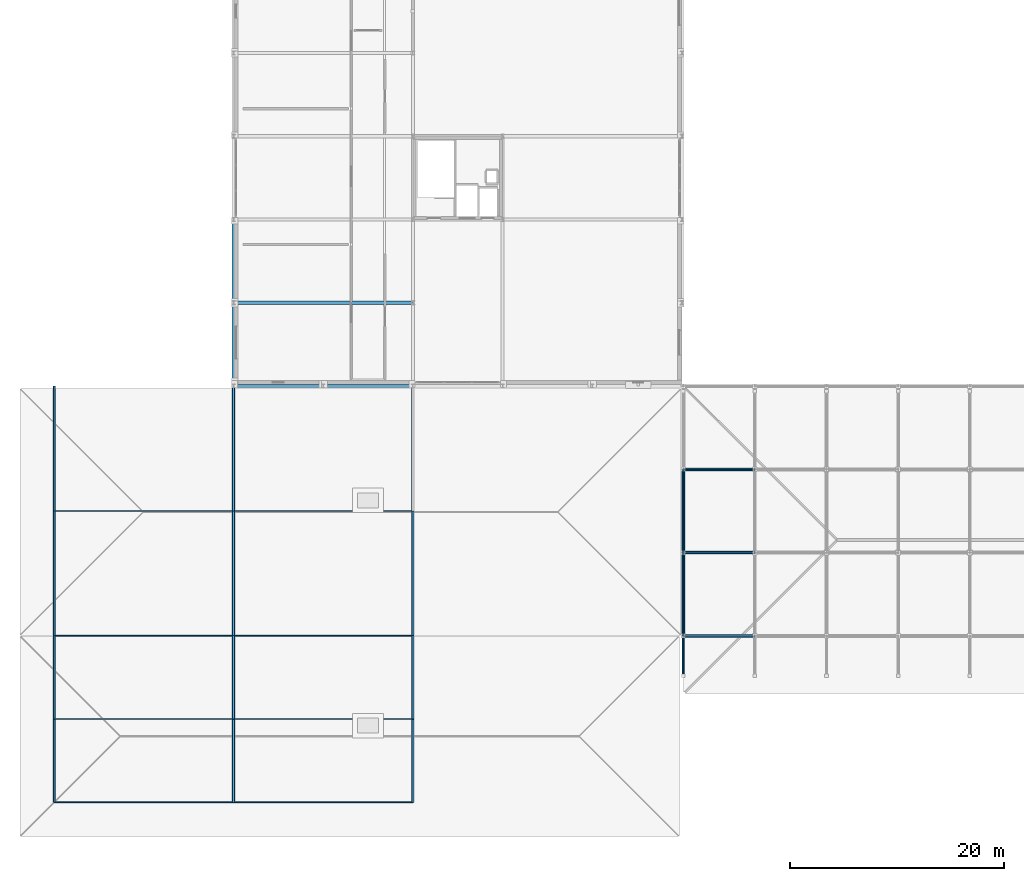
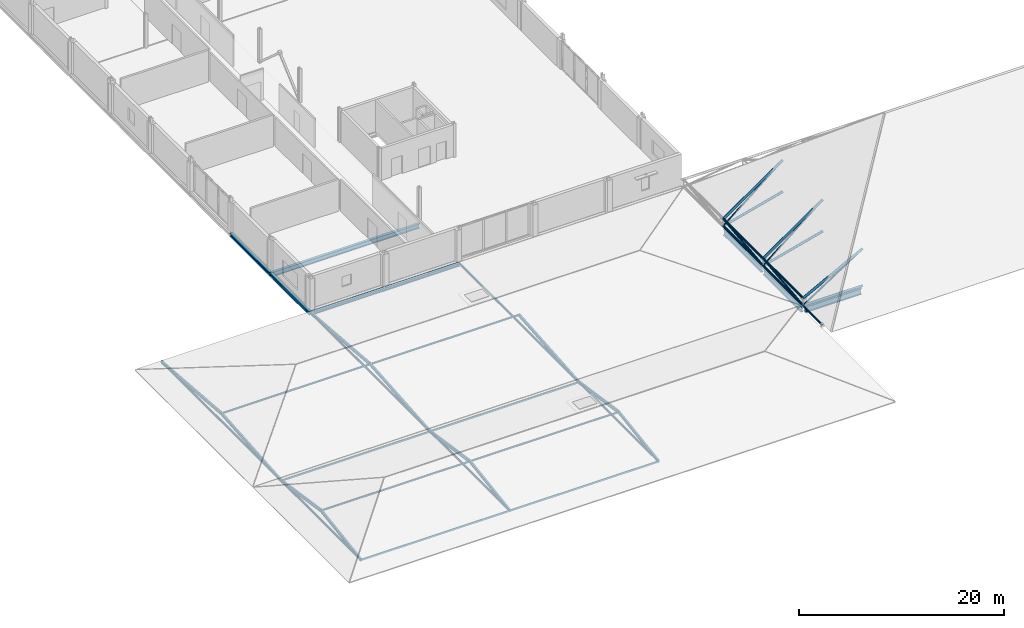
# One storey, part 20 of 77: 37 members, 8 beams.
"""IFC4 building model written with IfcOpenShell, lengths in metres."""

from ifc_helpers import new_model, si_unit, direction, frame, origin, origin_2d, place, context, subcontext, project, spatial, hollow_rectangle, hollow_circle, i_section, extrude, material, material_profile, profile_set, type_object, element, save


model = new_model("IFC4")

# Units and contexts
model_context = context("Model", 3, precision=1e-05, world=origin(), true_north=direction((0.0, 1.0)))
body_context = subcontext(model_context, "Body", "Model", "MODEL_VIEW")
ifc_project = project(units=[si_unit("LENGTHUNIT", "METRE"), si_unit("AREAUNIT", "SQUARE_METRE"), si_unit("VOLUMEUNIT", "CUBIC_METRE"), si_unit("PLANEANGLEUNIT", "RADIAN"), si_unit("MASSUNIT", "GRAM", prefix="KILO")], contexts=[model_context])

# Site, building, storey
site_placement = place(None, origin())
site = spatial("IfcSite", under=ifc_project, at=site_placement, CompositionType="ELEMENT")
building_placement = place(site_placement, origin())
building = spatial("IfcBuilding", under=site, at=building_placement, Name="Nabrawat Pavilion Hospital", CompositionType="ELEMENT")
storey_placement = place(building_placement, frame((0.0, 0.0, 14.85009765625)))
storey = spatial("IfcBuildingStorey", under=building, at=storey_placement, Name="L03", CompositionType="ELEMENT", Elevation=14.85009765625)

# Beams
ifc_material = material(Name="Steel S355", Category="steel")
ifc_material_profile_1 = material_profile(ifc_material, i_section(OverallWidth=0.300048828125, OverallDepth=0.699951171875, WebThickness=0.01708984375, FlangeThickness=0.031982421875, FilletRadius=0.027099609375, at=origin_2d()), Name="HEB 700")
ifc_profile_set_1 = profile_set([ifc_material_profile_1], Name="Steel S355")
beam_type_1 = type_object("IfcBeamType", Name="Main Hall Space-Frame Perimeter Ring Girder HEB 700", PredefinedType="USERDEFINED", material=ifc_profile_set_1)
beam_1_placement = place(storey_placement, frame((59.09326171875, 15.60009765625, -0.60009765625), z_axis=(1.0, 0.0, 0.0), x_axis=(0.0, 1.0, 0.0)))
element("IfcBeam", 1, at=beam_1_placement, inside=storey, type_object=beam_type_1, Name="L03 Main Hall Space-Frame Perimeter Ring Girder 1428", ObjectType="GIRDER", PredefinedType="USERDEFINED", context=body_context, shape_type="SweptSolid", body=[
    extrude(i_section(OverallWidth=0.300048828125, OverallDepth=0.699951171875, WebThickness=0.01708984375, FlangeThickness=0.031982421875, FilletRadius=0.027099609375, at=origin_2d()), origin(), (0.0, 0.0, 1.0), 6.361572265625),
])
for number, where, z_axis, x_axis, name in (
    (2, (58.919921875, 15.773193359375, -0.60009765625), (0.0, 1.0, 0.0), (-1.0, 0.0, 0.0), "L03 Main Hall Space-Frame Perimeter Ring Girder 1621"),
    (3, (58.919921875, 23.5732421875, -0.60009765625), (0.0, 1.0, 0.0), (-1.0, 0.0, 0.0), "L03 Main Hall Space-Frame Perimeter Ring Girder 1622"),
):
    element("IfcBeam", number, at=place(storey_placement, frame(where, z_axis=z_axis, x_axis=x_axis)), inside=storey, type_object=beam_type_1, Name=name, ObjectType="GIRDER", PredefinedType="USERDEFINED", context=body_context, shape_type="SweptSolid", body=[
        extrude(i_section(OverallWidth=0.300048828125, OverallDepth=0.699951171875, WebThickness=0.01708984375, FlangeThickness=0.031982421875, FilletRadius=0.027099609375, at=origin_2d()), origin(), (0.0, 0.0, 1.0), 7.45361328125),
    ])

# Members
ifc_material_profile_2 = material_profile(ifc_material, hollow_rectangle(XDim=0.10009765625, YDim=0.199951171875, WallThickness=0.008056640625, at=origin_2d()), Name="RHS 200x100x8")
ifc_profile_set_2 = profile_set([ifc_material_profile_2], Name="Steel S355")
member_type_1 = type_object("IfcMemberType", Name="Overhanging Eave Roof Purlin RHS 200x100x8", PredefinedType="PURLIN", material=ifc_profile_set_2)
for number, where, z_axis, x_axis, name in (
    (4, (0.0, 0.0, -0.35009765625), (1.0, 0.0, 0.0), (0.0, 1.0, 0.0), "Emergency South Pavilion Eave Tie Purlin"),
    (5, (0.0, 15.60009765625, -0.35009765625), (1.0, 0.0, 0.0), (0.0, 1.0, 0.0), "Emergency North Pavilion Eave Tie Purlin"),
):
    element("IfcMember", number, at=place(storey_placement, frame(where, z_axis=z_axis, x_axis=x_axis)), inside=storey, type_object=member_type_1, Name=name, PredefinedType="PURLIN", context=body_context, shape_type="SweptSolid", body=[
        extrude(hollow_rectangle(XDim=0.10009765625, YDim=0.199951171875, WallThickness=0.008056640625, at=origin_2d()), origin(), (0.0, 0.0, 1.0), 33.60009765625),
    ])
ifc_material_profile_3 = material_profile(ifc_material, i_section(OverallWidth=0.10009765625, OverallDepth=0.199951171875, WebThickness=0.005615234375, FlangeThickness=0.008544921875, FilletRadius=0.011962890625, at=origin_2d()), Name="IPE 200")
ifc_profile_set_3 = profile_set([ifc_material_profile_3], Name="Steel S355")
member_type_2 = type_object("IfcMemberType", Name="Pavilion Roof Purlin IPE 200", PredefinedType="PURLIN", material=ifc_profile_set_3)
for number, where, z_axis, x_axis, name in (
    (6, (0.0, 7.800048828125, 0.8154296875), (1.0, 0.0, 0.0), (0.0, 1.0, 0.0), "Emergency South Pavilion Roof Ridge Purlin"),
    (7, (0.0, 27.300048828125, 0.58740234375), (1.0, 0.0, 0.0), (0.0, 1.0, 0.0), "Emergency North Pavilion Roof Ridge Purlin"),
):
    element("IfcMember", number, at=place(storey_placement, frame(where, z_axis=z_axis, x_axis=x_axis)), inside=storey, type_object=member_type_2, Name=name, PredefinedType="PURLIN", context=body_context, shape_type="SweptSolid", body=[
        extrude(i_section(OverallWidth=0.10009765625, OverallDepth=0.199951171875, WebThickness=0.005615234375, FlangeThickness=0.008544921875, FilletRadius=0.011962890625, at=origin_2d()), origin(), (0.0, 0.0, 1.0), 33.60009765625),
    ])

# Beams
ifc_material_profile_4 = material_profile(ifc_material, i_section(OverallWidth=0.300048828125, OverallDepth=0.389892578125, WebThickness=0.010986328125, FlangeThickness=0.01904296875, FilletRadius=0.027099609375, at=origin_2d()), Name="HEA 400")
ifc_profile_set_4 = profile_set([ifc_material_profile_4], Name="Steel S355")
beam_type_2 = type_object("IfcBeamType", Name="Perimeter Moment Spandrel Beam HEA 400", PredefinedType="SPANDREL", material=ifc_profile_set_4)
for number, where, z_axis, x_axis, name in (
    (8, (16.800048828125, 39.02001953125, -0.465087890625), (0.0, 1.0, 0.0), (-1.0, 0.0, 0.0), "L03 Primary Y Beam 1587"),
    (9, (16.800048828125, 46.820068359375, -0.465087890625), (0.0, 1.0, 0.0), (-1.0, 0.0, 0.0), "L03 Primary Y Beam 1588"),
):
    element("IfcBeam", number, at=place(storey_placement, frame(where, z_axis=z_axis, x_axis=x_axis)), inside=storey, type_object=beam_type_2, Name=name, PredefinedType="SPANDREL", context=body_context, shape_type="SweptSolid", body=[
        extrude(i_section(OverallWidth=0.300048828125, OverallDepth=0.389892578125, WebThickness=0.010986328125, FlangeThickness=0.01904296875, FilletRadius=0.027099609375, at=origin_2d()), origin(), (0.0, 0.0, 1.0), 7.760009765625),
    ])
ifc_material_profile_5 = material_profile(ifc_material, i_section(OverallWidth=0.300048828125, OverallDepth=0.5400390625, WebThickness=0.012451171875, FlangeThickness=0.02392578125, FilletRadius=0.027099609375, at=origin_2d()), Name="HEA 550")
ifc_profile_set_5 = profile_set([ifc_material_profile_5], Name="Steel S355")
beam_type_3 = type_object("IfcBeamType", Name="Primary Clinical Girder HEA 550", PredefinedType="USERDEFINED", material=ifc_profile_set_5)
beam_2_placement = place(storey_placement, frame((16.820068359375, 46.800048828125, -0.5400390625), z_axis=(1.0, 0.0, 0.0), x_axis=(0.0, 1.0, 0.0)))
element("IfcBeam", 10, at=beam_2_placement, inside=storey, type_object=beam_type_3, Name="L03 Primary X Girder 1482", ObjectType="GIRDER", PredefinedType="USERDEFINED", context=body_context, shape_type="SweptSolid", body=[
    extrude(i_section(OverallWidth=0.300048828125, OverallDepth=0.5400390625, WebThickness=0.012451171875, FlangeThickness=0.02392578125, FilletRadius=0.027099609375, at=origin_2d()), origin(), (0.0, 0.0, 1.0), 16.760009765625),
])

# Members
ifc_material_profile_6 = material_profile(ifc_material, hollow_circle(Radius=0.109619140625, WallThickness=0.012451171875, at=origin_2d()), Name="CHS 219.1x12.5")
ifc_profile_set_6 = profile_set([ifc_material_profile_6], Name="Steel S355")
member_type_3 = type_object("IfcMemberType", Name="Space Frame Overhanging Eave Strut CHS 219.1x12.5", PredefinedType="STRUT", material=ifc_profile_set_6)
member_1_placement = place(storey_placement, frame((58.919921875, 15.60009765625, -0.110107421875), z_axis=(0.0, -0.999996437516, -0.002669261324), x_axis=(1.0, 0.0, 0.0)))
element("IfcMember", 11, at=member_1_placement, inside=storey, type_object=member_type_3, Name="Space Frame Overhanging Eave Strut South 0264", PredefinedType="STRUT", context=body_context, shape_type="SweptSolid", body=[
    extrude(hollow_circle(Radius=0.109619140625, WallThickness=0.012451171875, at=origin_2d()), origin(), (0.0, 0.0, 1.0), 3.75),
])
ifc_material_profile_7 = material_profile(ifc_material, hollow_circle(Radius=0.136474609375, WallThickness=0.012451171875, at=origin_2d()), Name="CHS 273x12.5")
ifc_profile_set_7 = profile_set([ifc_material_profile_7], Name="Steel S355")
member_type_4 = type_object("IfcMemberType", Name="Space Frame Primary Chord CHS 273x12.5", PredefinedType="CHORD", material=ifc_profile_set_7)
member_2_placement = place(storey_placement, frame((58.919921875, 15.60009765625, 0.7998046875), z_axis=(0.882591132952, 0.0, 0.470141353249), x_axis=(0.0, 1.0, 0.0)))
element("IfcMember", 12, at=member_2_placement, inside=storey, type_object=member_type_4, Name="Space Frame Chord Top X 0001", PredefinedType="CHORD", context=body_context, shape_type="SweptSolid", body=[
    extrude(hollow_circle(Radius=0.136474609375, WallThickness=0.012451171875, at=origin_2d()), origin(), (0.0, 0.0, 1.0), 7.600341796875),
])
member_3_placement = place(storey_placement, frame((58.919921875, 15.60009765625, -0.050048828125), z_axis=(1.0, 0.0, 0.0), x_axis=(0.0, 1.0, 0.0)))
element("IfcMember", 13, at=member_3_placement, inside=storey, type_object=member_type_4, Name="Space Frame Chord Bottom X 0002", PredefinedType="CHORD", context=body_context, shape_type="SweptSolid", body=[
    extrude(hollow_circle(Radius=0.136474609375, WallThickness=0.012451171875, at=origin_2d()), origin(), (0.0, 0.0, 1.0), 6.7080078125),
])
member_4_placement = place(storey_placement, frame((58.919921875, 23.39990234375, 0.7998046875), z_axis=(0.819346782875, 0.0, 0.573298220293), x_axis=(0.0, 1.0, 0.0)))
element("IfcMember", 14, at=member_4_placement, inside=storey, type_object=member_type_4, Name="Space Frame Chord Top X 0008", PredefinedType="CHORD", context=body_context, shape_type="SweptSolid", body=[
    extrude(hollow_circle(Radius=0.136474609375, WallThickness=0.012451171875, at=origin_2d()), origin(), (0.0, 0.0, 1.0), 8.18701171875),
])
member_5_placement = place(storey_placement, frame((58.919921875, 23.39990234375, -0.050048828125), z_axis=(0.967044440685, 0.0, 0.254607638809), x_axis=(0.0, 1.0, 0.0)))
element("IfcMember", 15, at=member_5_placement, inside=storey, type_object=member_type_4, Name="Space Frame Chord Bottom X 0009", PredefinedType="CHORD", context=body_context, shape_type="SweptSolid", body=[
    extrude(hollow_circle(Radius=0.136474609375, WallThickness=0.012451171875, at=origin_2d()), origin(), (0.0, 0.0, 1.0), 6.9365234375),
])
member_6_placement = place(storey_placement, frame((58.919921875, 31.199951171875, 0.7998046875), z_axis=(0.819346782875, 0.0, 0.573298220293), x_axis=(0.0, 1.0, 0.0)))
element("IfcMember", 16, at=member_6_placement, inside=storey, type_object=member_type_4, Name="Space Frame Chord Top X 0015", PredefinedType="CHORD", context=body_context, shape_type="SweptSolid", body=[
    extrude(hollow_circle(Radius=0.136474609375, WallThickness=0.012451171875, at=origin_2d()), origin(), (0.0, 0.0, 1.0), 8.18701171875),
])
member_7_placement = place(storey_placement, frame((58.919921875, 31.199951171875, -0.050048828125), z_axis=(0.967044440685, 0.0, 0.254607638809), x_axis=(0.0, 1.0, 0.0)))
element("IfcMember", 17, at=member_7_placement, inside=storey, type_object=member_type_4, Name="Space Frame Chord Bottom X 0016", PredefinedType="CHORD", context=body_context, shape_type="SweptSolid", body=[
    extrude(hollow_circle(Radius=0.136474609375, WallThickness=0.012451171875, at=origin_2d()), origin(), (0.0, 0.0, 1.0), 6.9365234375),
])
ifc_material_profile_8 = material_profile(ifc_material, hollow_circle(Radius=0.096923828125, WallThickness=0.010009765625, at=origin_2d()), Name="CHS 193.7x10")
ifc_profile_set_8 = profile_set([ifc_material_profile_8], Name="Steel S355")
member_type_5 = type_object("IfcMemberType", Name="Space Frame Primary Diagonal CHS 193.7x10", PredefinedType="BRACE", material=ifc_profile_set_8)
member_8_placement = place(storey_placement, frame((58.919921875, 15.60009765625, -0.050048828125), z_axis=(0.834849035362, 0.0, 0.5504789625), x_axis=(0.0, 1.0, 0.0)))
element("IfcMember", 18, at=member_8_placement, inside=storey, type_object=member_type_5, Name="Space Frame Diagonal Web X 0006", PredefinedType="BRACE", context=body_context, shape_type="SweptSolid", body=[
    extrude(hollow_circle(Radius=0.096923828125, WallThickness=0.010009765625, at=origin_2d()), origin(), (0.0, 0.0, 1.0), 8.034912109375),
])
member_9_placement = place(storey_placement, frame((58.919921875, 15.60009765625, -0.050048828125), z_axis=(0.0, 0.99411637949, 0.108317237918), x_axis=(-1.0, 0.0, 0.0)))
element("IfcMember", 19, at=member_9_placement, inside=storey, type_object=member_type_5, Name="Space Frame Diagonal Web Y 0007", PredefinedType="BRACE", context=body_context, shape_type="SweptSolid", body=[
    extrude(hollow_circle(Radius=0.096923828125, WallThickness=0.010009765625, at=origin_2d()), origin(), (0.0, 0.0, 1.0), 7.845947265625),
])
member_10_placement = place(storey_placement, frame((58.919921875, 23.39990234375, -0.050048828125), z_axis=(0.770845546006, 0.0, 0.637022090828), x_axis=(0.0, 1.0, 0.0)))
element("IfcMember", 20, at=member_10_placement, inside=storey, type_object=member_type_5, Name="Space Frame Diagonal Web X 0013", PredefinedType="BRACE", context=body_context, shape_type="SweptSolid", body=[
    extrude(hollow_circle(Radius=0.096923828125, WallThickness=0.010009765625, at=origin_2d()), origin(), (0.0, 0.0, 1.0), 8.7021484375),
])
member_11_placement = place(storey_placement, frame((58.919921875, 23.39990234375, -0.050048828125), z_axis=(0.0, 0.994116744553, 0.108313887376), x_axis=(-1.0, 0.0, 0.0)))
element("IfcMember", 21, at=member_11_placement, inside=storey, type_object=member_type_5, Name="Space Frame Diagonal Web Y 0014", PredefinedType="BRACE", context=body_context, shape_type="SweptSolid", body=[
    extrude(hollow_circle(Radius=0.096923828125, WallThickness=0.010009765625, at=origin_2d()), origin(), (0.0, 0.0, 1.0), 7.84619140625),
])
member_12_placement = place(storey_placement, frame((58.919921875, 31.199951171875, -0.050048828125), z_axis=(0.770845546006, 0.0, 0.637022090828), x_axis=(0.0, 1.0, 0.0)))
element("IfcMember", 22, at=member_12_placement, inside=storey, type_object=member_type_5, Name="Space Frame Diagonal Web X 0020", PredefinedType="BRACE", context=body_context, shape_type="SweptSolid", body=[
    extrude(hollow_circle(Radius=0.096923828125, WallThickness=0.010009765625, at=origin_2d()), origin(), (0.0, 0.0, 1.0), 8.7021484375),
])
ifc_material_profile_9 = material_profile(ifc_material, hollow_circle(Radius=0.122314453125, WallThickness=0.012451171875, at=origin_2d()), Name="CHS 244.5x12.5")
ifc_profile_set_9 = profile_set([ifc_material_profile_9], Name="Steel S355")
member_type_6 = type_object("IfcMemberType", Name="Space Frame Transverse Chord CHS 244.5x12.5", PredefinedType="CHORD", material=ifc_profile_set_9)
for number, where, z_axis, x_axis, name in (
    (23, (58.919921875, 15.60009765625, 0.7998046875), (0.0, 1.0, 0.0), (-1.0, 0.0, 0.0), "Space Frame Chord Top Y 0003"),
    (24, (58.919921875, 15.60009765625, -0.050048828125), (0.0, 1.0, 0.0), (-1.0, 0.0, 0.0), "Space Frame Chord Bottom Y 0004"),
):
    element("IfcMember", number, at=place(storey_placement, frame(where, z_axis=z_axis, x_axis=x_axis)), inside=storey, type_object=member_type_6, Name=name, PredefinedType="CHORD", context=body_context, shape_type="SweptSolid", body=[
        extrude(hollow_circle(Radius=0.122314453125, WallThickness=0.012451171875, at=origin_2d()), origin(), (0.0, 0.0, 1.0), 7.7998046875),
    ])
for number, where, z_axis, x_axis, name in (
    (25, (58.919921875, 23.39990234375, 0.7998046875), (0.0, 1.0, 0.0), (-1.0, 0.0, 0.0), "Space Frame Chord Top Y 0010"),
    (26, (58.919921875, 23.39990234375, -0.050048828125), (0.0, 1.0, 0.0), (-1.0, 0.0, 0.0), "Space Frame Chord Bottom Y 0011"),
):
    element("IfcMember", number, at=place(storey_placement, frame(where, z_axis=z_axis, x_axis=x_axis)), inside=storey, type_object=member_type_6, Name=name, PredefinedType="CHORD", context=body_context, shape_type="SweptSolid", body=[
        extrude(hollow_circle(Radius=0.122314453125, WallThickness=0.012451171875, at=origin_2d()), origin(), (0.0, 0.0, 1.0), 7.800048828125),
    ])
for number, where, z_axis, x_axis, name in (
    (27, (0.0, 0.0, -0.35009765625), (0.0, 1.0, 0.0), (-1.0, 0.0, 0.0), "Emergency South Pavilion Truss Bottom Tie Chord 01"),
    (28, (16.800048828125, 0.0, -0.35009765625), (0.0, 1.0, 0.0), (-1.0, 0.0, 0.0), "Emergency South Pavilion Truss Bottom Tie Chord 02"),
    (29, (33.60009765625, 0.0, -0.35009765625), (0.0, 1.0, 0.0), (-1.0, 0.0, 0.0), "Emergency South Pavilion Truss Bottom Tie Chord 03"),
):
    element("IfcMember", number, at=place(storey_placement, frame(where, z_axis=z_axis, x_axis=x_axis)), inside=storey, type_object=member_type_6, Name=name, PredefinedType="CHORD", context=body_context, shape_type="SweptSolid", body=[
        extrude(hollow_circle(Radius=0.122314453125, WallThickness=0.012451171875, at=origin_2d()), origin(), (0.0, 0.0, 1.0), 15.60009765625),
    ])
for number, where, z_axis, x_axis, name in (
    (30, (0.0, 15.60009765625, -0.35009765625), (0.0, 1.0, 0.0), (-1.0, 0.0, 0.0), "Emergency North Pavilion Truss Bottom Tie Chord 01"),
    (31, (16.800048828125, 15.60009765625, -0.35009765625), (0.0, 1.0, 0.0), (-1.0, 0.0, 0.0), "Emergency North Pavilion Truss Bottom Tie Chord 02"),
    (32, (33.60009765625, 15.60009765625, -0.35009765625), (0.0, 1.0, 0.0), (-1.0, 0.0, 0.0), "Emergency North Pavilion Truss Bottom Tie Chord 03"),
):
    element("IfcMember", number, at=place(storey_placement, frame(where, z_axis=z_axis, x_axis=x_axis)), inside=storey, type_object=member_type_6, Name=name, PredefinedType="CHORD", context=body_context, shape_type="SweptSolid", body=[
        extrude(hollow_circle(Radius=0.122314453125, WallThickness=0.012451171875, at=origin_2d()), origin(), (0.0, 0.0, 1.0), 23.39990234375),
    ])
ifc_material_profile_10 = material_profile(ifc_material, i_section(OverallWidth=0.169921875, OverallDepth=0.360107421875, WebThickness=0.008056640625, FlangeThickness=0.0126953125, FilletRadius=0.01806640625, at=origin_2d()), Name="IPE 360")
ifc_profile_set_10 = profile_set([ifc_material_profile_10], Name="Steel S355")
member_type_7 = type_object("IfcMemberType", Name="Surgical Hipped Roof Rafter IPE 360", PredefinedType="RAFTER", material=ifc_profile_set_10)
for number, where, z_axis, x_axis, name in (
    (33, (0.0, 0.0, -0.35009765625), (0.0, 0.989019528788, 0.147784883109), (-1.0, 0.0, 0.0), "Emergency South Pavilion South Hipped Rafter 01"),
    (34, (0.0, 15.60009765625, -0.35009765625), (0.0, -0.989019528788, 0.147784883109), (1.0, 0.0, 0.0), "Emergency South Pavilion North Hipped Rafter 01"),
    (35, (16.800048828125, 0.0, -0.35009765625), (0.0, 0.989019528788, 0.147784883109), (-1.0, 0.0, 0.0), "Emergency South Pavilion South Hipped Rafter 02"),
    (36, (16.800048828125, 15.60009765625, -0.35009765625), (0.0, -0.989019528788, 0.147784883109), (1.0, 0.0, 0.0), "Emergency South Pavilion North Hipped Rafter 02"),
    (37, (33.60009765625, 0.0, -0.35009765625), (0.0, 0.989019528788, 0.147784883109), (-1.0, 0.0, 0.0), "Emergency South Pavilion South Hipped Rafter 03"),
    (38, (33.60009765625, 15.60009765625, -0.35009765625), (0.0, -0.989019528788, 0.147784883109), (1.0, 0.0, 0.0), "Emergency South Pavilion North Hipped Rafter 03"),
):
    element("IfcMember", number, at=place(storey_placement, frame(where, z_axis=z_axis, x_axis=x_axis)), inside=storey, type_object=member_type_7, Name=name, PredefinedType="RAFTER", context=body_context, shape_type="SweptSolid", body=[
        extrude(i_section(OverallWidth=0.169921875, OverallDepth=0.360107421875, WebThickness=0.008056640625, FlangeThickness=0.0126953125, FilletRadius=0.01806640625, at=origin_2d()), origin(), (0.0, 0.0, 1.0), 7.88671875),
    ])
for number, where, z_axis, x_axis, name in (
    (39, (0.0, 15.60009765625, -0.35009765625), (0.0, 0.996805085282, 0.079872535682), (-1.0, 0.0, 0.0), "Emergency North Pavilion South Hipped Rafter 01"),
    (40, (0.0, 39.0, -0.35009765625), (0.0, -0.996805085282, 0.079872535682), (1.0, 0.0, 0.0), "Emergency North Pavilion North Hipped Rafter 01"),
    (41, (16.800048828125, 15.60009765625, -0.35009765625), (0.0, 0.996805085282, 0.079872535682), (-1.0, 0.0, 0.0), "Emergency North Pavilion South Hipped Rafter 02"),
    (42, (16.800048828125, 39.0, -0.35009765625), (0.0, -0.996805085282, 0.079872535682), (1.0, 0.0, 0.0), "Emergency North Pavilion North Hipped Rafter 02"),
    (43, (33.60009765625, 15.60009765625, -0.35009765625), (0.0, 0.996805085282, 0.079872535682), (-1.0, 0.0, 0.0), "Emergency North Pavilion South Hipped Rafter 03"),
):
    element("IfcMember", number, at=place(storey_placement, frame(where, z_axis=z_axis, x_axis=x_axis)), inside=storey, type_object=member_type_7, Name=name, PredefinedType="RAFTER", context=body_context, shape_type="SweptSolid", body=[
        extrude(i_section(OverallWidth=0.169921875, OverallDepth=0.360107421875, WebThickness=0.008056640625, FlangeThickness=0.0126953125, FilletRadius=0.01806640625, at=origin_2d()), origin(), (0.0, 0.0, 1.0), 11.737548828125),
    ])

# Beams
ifc_material_profile_11 = material_profile(ifc_material, i_section(OverallWidth=0.300048828125, OverallDepth=0.360107421875, WebThickness=0.012451171875, FlangeThickness=0.0224609375, FilletRadius=0.027099609375, at=origin_2d()), Name="HEB 360")
ifc_profile_set_11 = profile_set([ifc_material_profile_11], Name="Steel S355")
beam_type_4 = type_object("IfcBeamType", Name="Surgical Perimeter Spandrel HEB 360", PredefinedType="SPANDREL", material=ifc_profile_set_11)
beam_3_placement = place(storey_placement, frame((16.820068359375, 39.0, -0.4501953125), z_axis=(1.0, 0.0, 0.0), x_axis=(0.0, 1.0, 0.0)))
element("IfcBeam", 44, at=beam_3_placement, inside=storey, type_object=beam_type_4, Name="L03 Primary X Girder 1459", PredefinedType="SPANDREL", context=body_context, shape_type="SweptSolid", body=[
    extrude(i_section(OverallWidth=0.300048828125, OverallDepth=0.360107421875, WebThickness=0.012451171875, FlangeThickness=0.0224609375, FilletRadius=0.027099609375, at=origin_2d()), origin(), (0.0, 0.0, 1.0), 8.35986328125),
])
beam_4_placement = place(storey_placement, frame((25.219970703125, 39.0, -0.4501953125), z_axis=(1.0, 0.0, 0.0), x_axis=(0.0, 1.0, 0.0)))
element("IfcBeam", 45, at=beam_4_placement, inside=storey, type_object=beam_type_4, Name="L03 Primary X Girder 1460", PredefinedType="SPANDREL", context=body_context, shape_type="SweptSolid", body=[
    extrude(i_section(OverallWidth=0.300048828125, OverallDepth=0.360107421875, WebThickness=0.012451171875, FlangeThickness=0.0224609375, FilletRadius=0.027099609375, at=origin_2d()), origin(), (0.0, 0.0, 1.0), 8.360107421875),
])

save(model, "model.ifc")
